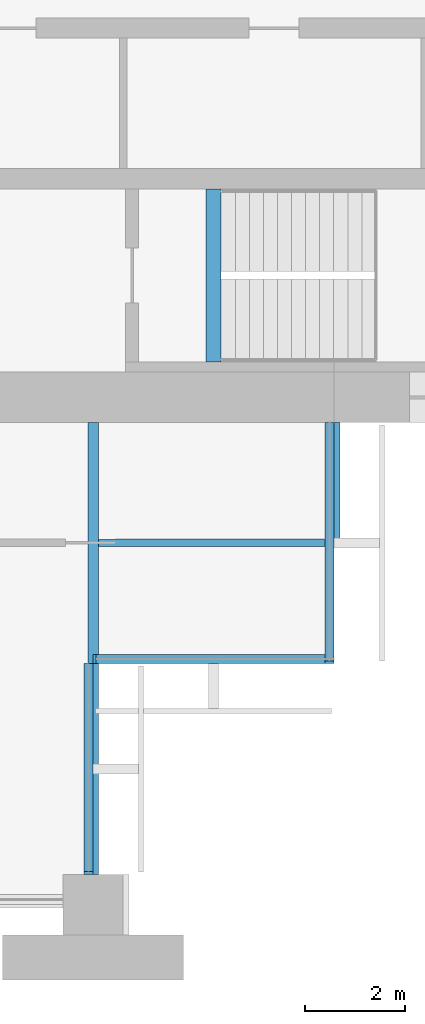
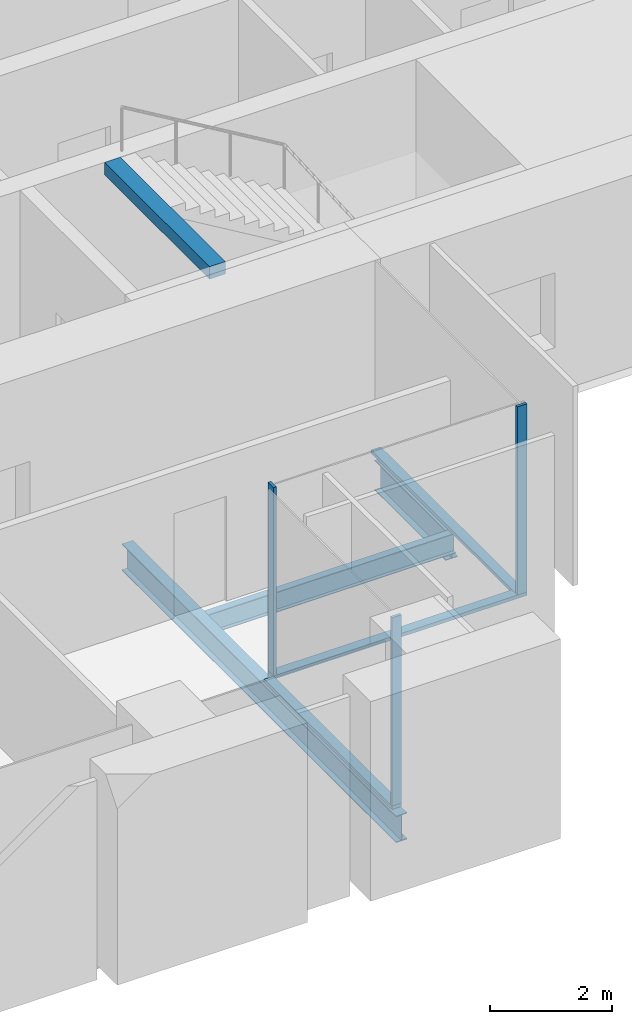
# One storey, part 4 of 14: 6 members, 4 beams, 3 elements without a shape of their own.
"""IFC4 building model written with IfcOpenShell, lengths in metres."""

from ifc_helpers import new_model, si_unit, direction, frame, origin, origin_2d, place, context, subcontext, project, spatial, rectangle, i_section, extrude, material, material_profile, profile_set, type_object, element, aggregate, save


model = new_model("IFC4")

# Units and contexts
model_context = context("Model", 3, precision=1e-05, world=origin(), true_north=direction((0.0, 1.0)))
body_context = subcontext(model_context, "Body", "Model", "MODEL_VIEW")
ifc_project = project(units=[si_unit("LENGTHUNIT", "METRE"), si_unit("AREAUNIT", "SQUARE_METRE"), si_unit("VOLUMEUNIT", "CUBIC_METRE"), si_unit("PLANEANGLEUNIT", "RADIAN"), si_unit("MASSUNIT", "GRAM", prefix="KILO")], contexts=[model_context])

# Site, building, storey
site_placement = place(None, origin())
site = spatial("IfcSite", under=ifc_project, at=site_placement, CompositionType="ELEMENT")
building_placement = place(site_placement, origin())
building = spatial("IfcBuilding", under=site, at=building_placement, Name="Baori Bourse Tower", CompositionType="ELEMENT")
storey_placement = place(building_placement, frame((0.0, 0.0, 168.10009765625)))
storey = spatial("IfcBuildingStorey", under=building, at=storey_placement, Name="L37", CompositionType="ELEMENT", Elevation=168.10009765625)

# Curtain wall, member
ifc_material_1 = material(Name="Pale anodised aluminium", Category="aluminium")
curtain_wall_type = type_object("IfcCurtainWallType", Name="CW2 Curtain wall", PredefinedType="NOTDEFINED", material=ifc_material_1)
curtain_wall_1_placement = place(storey_placement, origin())
curtain_wall_1 = element("IfcCurtainWall", 1, at=curtain_wall_1_placement, inside=storey, type_object=curtain_wall_type, Name="Curtain wall CW2 L37 12", PredefinedType="NOTDEFINED")
ifc_material_2 = material(Name="Pale anodised aluminium", Category="aluminium")
ifc_material_profile_1 = material_profile(ifc_material_2, rectangle(XDim=0.179931640625, YDim=0.054931640625, at=origin_2d()), Name="Mullion 55x180")
ifc_profile_set_1 = profile_set([ifc_material_profile_1], Name="Pale anodised aluminium")
member_type_1 = type_object("IfcMemberType", Name="CW2 Curtain wall mullion", PredefinedType="MULLION", material=ifc_profile_set_1)
member_1_placement = place(storey_placement, frame((43.110107421875, 0.62744140625, 0.06982421875), z_axis=(0.0, 0.0, 1.0), x_axis=(-1.0, 0.0, 0.0)))
member_1 = element("IfcMember", 2, at=member_1_placement, type_object=member_type_1, Name="Curtain wall CW2 mullion", PredefinedType="MULLION", context=body_context, shape_type="SweptSolid", body=[
    extrude(rectangle(XDim=0.179931640625, YDim=0.054931640625, at=origin_2d()), origin(), (0.0, 0.0, 1.0), 3.77001953125),
])

curtain_wall_2_placement = place(storey_placement, origin())
curtain_wall_2 = element("IfcCurtainWall", 3, at=curtain_wall_2_placement, inside=storey, type_object=curtain_wall_type, Name="Curtain wall CW2 L37 13", PredefinedType="NOTDEFINED")
member_2_placement = place(storey_placement, frame((43.2275390625, 4.889892578125, 0.06982421875), z_axis=(0.0, 0.0, 1.0), x_axis=(0.0, 1.0, 0.0)))
member_2 = element("IfcMember", 4, at=member_2_placement, type_object=member_type_1, Name="Curtain wall CW2 mullion", PredefinedType="MULLION", context=body_context, shape_type="SweptSolid", body=[
    extrude(rectangle(XDim=0.179931640625, YDim=0.054931640625, at=origin_2d()), origin(), (0.0, 0.0, 1.0), 3.77001953125),
])

curtain_wall_3_placement = place(storey_placement, origin())
curtain_wall_3 = element("IfcCurtainWall", 5, at=curtain_wall_3_placement, inside=storey, type_object=curtain_wall_type, Name="Curtain wall CW2 L37 14", PredefinedType="NOTDEFINED")
member_3_placement = place(storey_placement, frame((47.909912109375, 4.827392578125, 0.06982421875), z_axis=(0.0, 0.0, 1.0), x_axis=(-1.0, 0.0, 0.0)))
member_3 = element("IfcMember", 6, at=member_3_placement, type_object=member_type_1, Name="Curtain wall CW2 mullion", PredefinedType="MULLION", context=body_context, shape_type="SweptSolid", body=[
    extrude(rectangle(XDim=0.179931640625, YDim=0.054931640625, at=origin_2d()), origin(), (0.0, 0.0, 1.0), 3.77001953125),
])

# Member
ifc_material_3 = material(Name="Pale anodised aluminium", Category="aluminium")
ifc_material_profile_2 = material_profile(ifc_material_3, rectangle(XDim=0.179931640625, YDim=0.070068359375, at=origin_2d()), Name="Transom 70x180")
ifc_profile_set_2 = profile_set([ifc_material_profile_2], Name="Pale anodised aluminium")
member_type_2 = type_object("IfcMemberType", Name="CW2 Curtain wall transom", PredefinedType="USERDEFINED", material=ifc_profile_set_2)
member_4_placement = place(storey_placement, frame((43.110107421875, 0.60009765625, 0.034912109375), z_axis=(0.0, 1.0, 0.0), x_axis=(-1.0, 0.0, 0.0)))
member_4 = element("IfcMember", 7, at=member_4_placement, type_object=member_type_2, Name="Curtain wall CW2 sill rail", ObjectType="TRANSOM", PredefinedType="USERDEFINED", context=body_context, shape_type="SweptSolid", body=[
    extrude(rectangle(XDim=0.179931640625, YDim=0.070068359375, at=origin_2d()), origin(), (0.0, 0.0, 1.0), 4.199951171875),
])

aggregate(curtain_wall_1, [member_4, member_1])

member_5_placement = place(storey_placement, frame((43.199951171875, 4.889892578125, 0.034912109375), z_axis=(1.0, 0.0, 0.0), x_axis=(0.0, 1.0, 0.0)))
member_5 = element("IfcMember", 8, at=member_5_placement, type_object=member_type_2, Name="Curtain wall CW2 sill rail", ObjectType="TRANSOM", PredefinedType="USERDEFINED", context=body_context, shape_type="SweptSolid", body=[
    extrude(rectangle(XDim=0.179931640625, YDim=0.070068359375, at=origin_2d()), origin(), (0.0, 0.0, 1.0), 4.800048828125),
])

aggregate(curtain_wall_2, [member_5, member_2])

member_6_placement = place(storey_placement, frame((47.909912109375, 4.800048828125, 0.034912109375), z_axis=(0.0, 1.0, 0.0), x_axis=(-1.0, 0.0, 0.0)))
member_6 = element("IfcMember", 9, at=member_6_placement, type_object=member_type_2, Name="Curtain wall CW2 sill rail", ObjectType="TRANSOM", PredefinedType="USERDEFINED", context=body_context, shape_type="SweptSolid", body=[
    extrude(rectangle(XDim=0.179931640625, YDim=0.070068359375, at=origin_2d()), origin(), (0.0, 0.0, 1.0), 4.800048828125),
])

aggregate(curtain_wall_3, [member_6, member_3])

# Beams
ifc_material_4 = material(Name="Steel A992 Gr 50", Category="steel")
ifc_material_profile_3 = material_profile(ifc_material_4, i_section(OverallWidth=0.227783203125, OverallDepth=0.60205078125, WebThickness=0.010498046875, FlangeThickness=0.014892578125, at=origin_2d()), Name="W24x68")
ifc_profile_set_3 = profile_set([ifc_material_profile_3], Name="Steel A992 Gr 50")
beam_type_1 = type_object("IfcBeamType", Name="Core bracket W24x68", PredefinedType="BEAM", material=ifc_profile_set_3)
beam_1_placement = place(storey_placement, frame((48.0, 7.270263671875, -0.461181640625), z_axis=(0.0, 1.0, 0.0), x_axis=(-1.0, 0.0, 0.0)))
element("IfcBeam", 10, at=beam_1_placement, inside=storey, type_object=beam_type_1, Name="Core bracket L37", PredefinedType="BEAM", context=body_context, shape_type="SweptSolid", body=[
    extrude(i_section(OverallWidth=0.227783203125, OverallDepth=0.60205078125, WebThickness=0.010498046875, FlangeThickness=0.014892578125, at=origin_2d()), origin(), (0.0, 0.0, 1.0), 2.329833984375),
])
ifc_material_5 = material(Name="Steel A992 Gr 50", Category="steel")
ifc_material_profile_4 = material_profile(ifc_material_5, i_section(OverallWidth=0.209228515625, OverallDepth=0.533447265625, WebThickness=0.01025390625, FlangeThickness=0.015625, at=origin_2d()), Name="W21x62")
ifc_profile_set_4 = profile_set([ifc_material_profile_4], Name="Steel A992 Gr 50")
beam_type_2 = type_object("IfcBeamType", Name="Floor beam W21x62", PredefinedType="BEAM", material=ifc_profile_set_4)
beam_2_placement = place(storey_placement, frame((43.199951171875, 0.60009765625, -0.4267578125), z_axis=(0.0, 1.0, 0.0), x_axis=(-1.0, 0.0, 0.0)))
element("IfcBeam", 11, at=beam_2_placement, inside=storey, type_object=beam_type_2, Name="Floor beam L37", PredefinedType="BEAM", context=body_context, shape_type="SweptSolid", body=[
    extrude(i_section(OverallWidth=0.209228515625, OverallDepth=0.533447265625, WebThickness=0.01025390625, FlangeThickness=0.015625, at=origin_2d()), origin(), (0.0, 0.0, 1.0), 9.0),
])
ifc_material_6 = material(Name="Concrete f'c 50 MPa", Category="concrete")
ifc_material_profile_5 = material_profile(ifc_material_6, rectangle(XDim=0.300048828125, YDim=0.25, at=origin_2d()), Name="RC 300x250")
ifc_profile_set_5 = profile_set([ifc_material_profile_5], Name="Concrete f'c 50 MPa")
beam_type_3 = type_object("IfcBeamType", Name="Stair nib beam RC 300x250", PredefinedType="BEAM", material=ifc_profile_set_5)
beam_3_placement = place(storey_placement, frame((45.60009765625, 10.800048828125, 3.71484375), z_axis=(0.0, 1.0, 0.0), x_axis=(-1.0, 0.0, 0.0)))
element("IfcBeam", 12, at=beam_3_placement, inside=storey, type_object=beam_type_3, Name="Stair EA nib beam L38", PredefinedType="BEAM", context=body_context, shape_type="SweptSolid", body=[
    extrude(rectangle(XDim=0.300048828125, YDim=0.25, at=origin_2d()), origin(), (0.0, 0.0, 1.0), 3.449951171875),
])
ifc_material_7 = material(Name="Steel A992 Gr 50", Category="steel")
ifc_material_profile_6 = material_profile(ifc_material_7, i_section(OverallWidth=0.140380859375, OverallDepth=0.40380859375, WebThickness=0.007080078125, FlangeThickness=0.01123046875, at=origin_2d()), Name="W16x31")
ifc_profile_set_6 = profile_set([ifc_material_profile_6], Name="Steel A992 Gr 50")
beam_type_4 = type_object("IfcBeamType", Name="Trimmer beam W16x31", PredefinedType="BEAM", material=ifc_profile_set_6)
beam_4_placement = place(storey_placement, frame((43.3046875, 7.199951171875, -0.362060546875), z_axis=(1.0, 0.0, 0.0), x_axis=(0.0, 1.0, 0.0)))
element("IfcBeam", 13, at=beam_4_placement, inside=storey, type_object=beam_type_4, Name="Trimmer beam L37", PredefinedType="BEAM", context=body_context, shape_type="SweptSolid", body=[
    extrude(i_section(OverallWidth=0.140380859375, OverallDepth=0.40380859375, WebThickness=0.007080078125, FlangeThickness=0.01123046875, at=origin_2d()), origin(), (0.0, 0.0, 1.0), 4.6953125),
])

save(model, "model.ifc")
